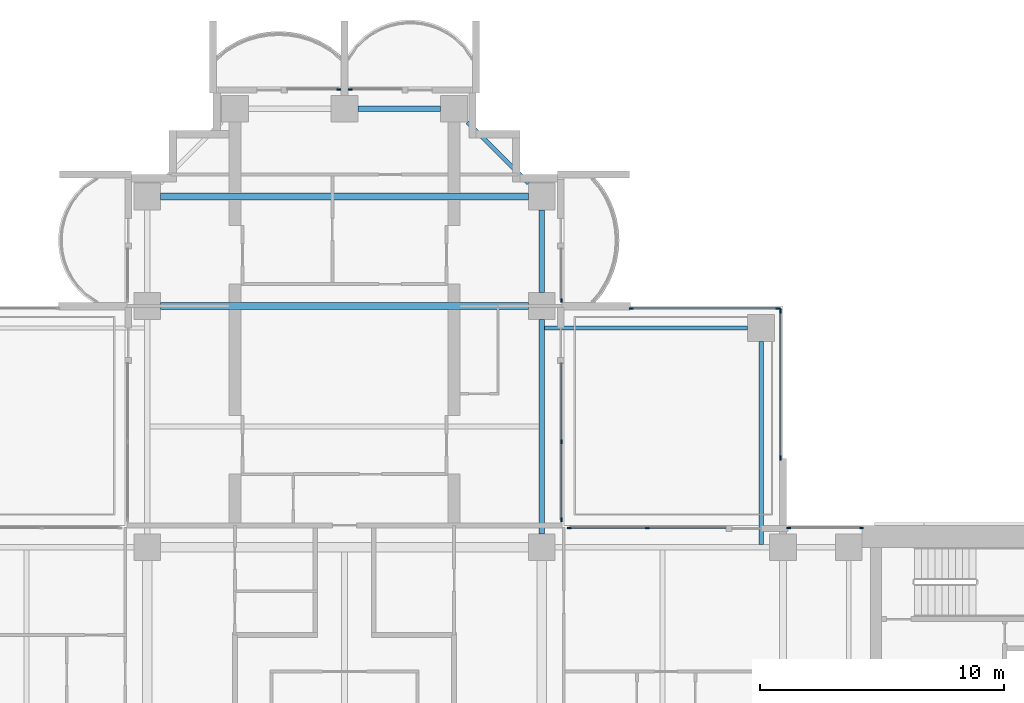
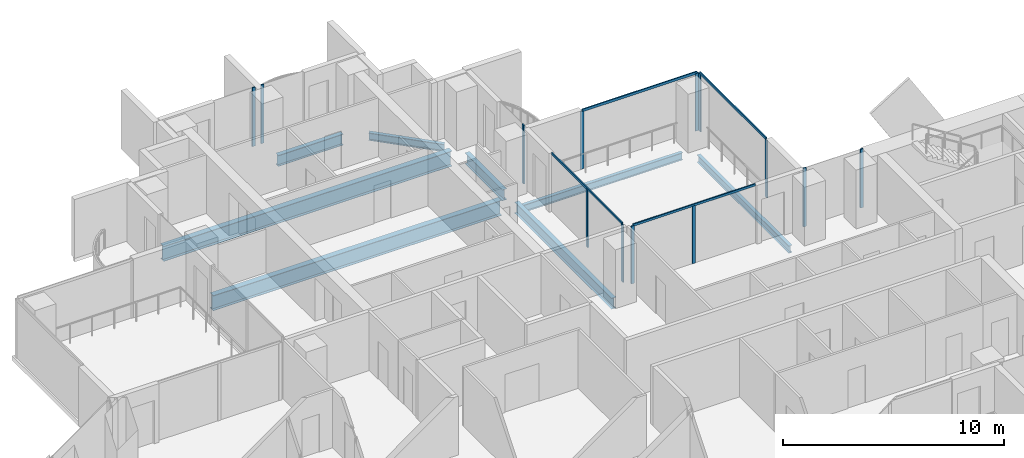
# One storey, part 6 of 19: 17 members, 8 beams, 8 elements without a shape of their own.
"""IFC4 building model written with IfcOpenShell, lengths in metres."""

from ifc_helpers import new_model, si_unit, direction, frame, origin, origin_2d, place, context, subcontext, project, spatial, rectangle, i_section, extrude, material, material_profile, profile_set, type_object, element, aggregate, save


model = new_model("IFC4")

# Units and contexts
model_context = context("Model", 3, precision=1e-05, world=origin(), true_north=direction((0.0, 1.0)))
body_context = subcontext(model_context, "Body", "Model", "MODEL_VIEW")
ifc_project = project(units=[si_unit("LENGTHUNIT", "METRE"), si_unit("AREAUNIT", "SQUARE_METRE"), si_unit("VOLUMEUNIT", "CUBIC_METRE"), si_unit("PLANEANGLEUNIT", "RADIAN"), si_unit("MASSUNIT", "GRAM", prefix="KILO")], contexts=[model_context])

# Site, building, storey
site_placement = place(None, origin())
site = spatial("IfcSite", under=ifc_project, at=site_placement, CompositionType="ELEMENT")
building_placement = place(site_placement, origin())
building = spatial("IfcBuilding", under=site, at=building_placement, Name="Perihelion Cross Residences", CompositionType="ELEMENT")
storey_placement = place(building_placement, frame((0.0, 0.0, 137.39990234375)))
storey = spatial("IfcBuildingStorey", under=building, at=storey_placement, Name="L33", CompositionType="ELEMENT", Elevation=137.39990234375)

# Curtain wall, members
ifc_material_1 = material(Name="Bronze anodised aluminium, tinted glazing", Category="aluminium")
curtain_wall_type_1 = type_object("IfcCurtainWallType", Name="CW1", PredefinedType="NOTDEFINED", material=ifc_material_1)
curtain_wall_1_placement = place(storey_placement, origin())
curtain_wall_1 = element("IfcCurtainWall", 1, at=curtain_wall_1_placement, inside=storey, type_object=curtain_wall_type_1, Name="Curtain wall CW1 L33 east side north bay 1", PredefinedType="NOTDEFINED")
ifc_material_2 = material(Name="Bronze anodised aluminium", Category="aluminium")
ifc_material_profile_1 = material_profile(ifc_material_2, rectangle(XDim=0.06005859375, YDim=0.159912109375, at=origin_2d()), Name="CW1 mullion")
ifc_profile_set_1 = profile_set([ifc_material_profile_1], Name="Bronze anodised aluminium")
member_type_1 = type_object("IfcMemberType", Name="CW1 mullion", PredefinedType="MULLION", material=ifc_profile_set_1)
member_1_placement = place(storey_placement, frame((21.219970703125, 8.89990234375, 0.0), z_axis=(0.0, 0.0, 1.0), x_axis=(0.0, -1.0, 0.0)))
member_1 = element("IfcMember", 2, at=member_1_placement, type_object=member_type_1, Name="CW1 mullion 1", PredefinedType="MULLION", context=body_context, shape_type="SweptSolid", body=[
    extrude(rectangle(XDim=0.06005859375, YDim=0.159912109375, at=origin_2d()), origin(), (0.0, 0.0, 1.0), 3.25),
])
member_2_placement = place(storey_placement, frame((18.22998046875, 8.89990234375, 0.0), z_axis=(0.0, 0.0, 1.0), x_axis=(0.0, -1.0, 0.0)))
member_2 = element("IfcMember", 3, at=member_2_placement, type_object=member_type_1, Name="CW1 mullion 2", PredefinedType="MULLION", context=body_context, shape_type="SweptSolid", body=[
    extrude(rectangle(XDim=0.06005859375, YDim=0.159912109375, at=origin_2d()), origin(), (0.0, 0.0, 1.0), 3.25),
])
aggregate(curtain_wall_1, [member_1, member_2])

curtain_wall_2_placement = place(storey_placement, origin())
curtain_wall_2 = element("IfcCurtainWall", 4, at=curtain_wall_2_placement, inside=storey, type_object=curtain_wall_type_1, Name="Curtain wall CW1 L33 east side north bay 2", PredefinedType="NOTDEFINED")
member_3_placement = place(storey_placement, frame((12.425048828125, 8.89990234375, 0.0), z_axis=(0.0, 0.0, 1.0), x_axis=(0.0, -1.0, 0.0)))
member_3 = element("IfcMember", 5, at=member_3_placement, type_object=member_type_1, Name="CW1 mullion 2", PredefinedType="MULLION", context=body_context, shape_type="SweptSolid", body=[
    extrude(rectangle(XDim=0.06005859375, YDim=0.159912109375, at=origin_2d()), origin(), (0.0, 0.0, 1.0), 3.190185546875),
])
member_4_placement = place(storey_placement, frame((9.22998046875, 8.89990234375, 0.0), z_axis=(0.0, 0.0, 1.0), x_axis=(0.0, -1.0, 0.0)))
member_4 = element("IfcMember", 6, at=member_4_placement, type_object=member_type_1, Name="CW1 mullion 3", PredefinedType="MULLION", context=body_context, shape_type="SweptSolid", body=[
    extrude(rectangle(XDim=0.06005859375, YDim=0.159912109375, at=origin_2d()), origin(), (0.0, 0.0, 1.0), 3.190185546875),
])

curtain_wall_3_placement = place(storey_placement, origin())
curtain_wall_3 = element("IfcCurtainWall", 7, at=curtain_wall_3_placement, inside=storey, type_object=curtain_wall_type_1, Name="Curtain wall CW1 L33 north side east bay 1", PredefinedType="NOTDEFINED")
member_5_placement = place(storey_placement, frame((8.89990234375, 9.22998046875, 0.0), z_axis=(0.0, 0.0, 1.0), x_axis=(-1.0, 0.0, 0.0)))
member_5 = element("IfcMember", 8, at=member_5_placement, type_object=member_type_1, Name="CW1 mullion 1", PredefinedType="MULLION", context=body_context, shape_type="SweptSolid", body=[
    extrude(rectangle(XDim=0.06005859375, YDim=0.159912109375, at=origin_2d()), origin(), (0.0, 0.0, 1.0), 3.190185546875),
])
member_6_placement = place(storey_placement, frame((8.89990234375, 12.425048828125, 0.0), z_axis=(0.0, 0.0, 1.0), x_axis=(-1.0, 0.0, 0.0)))
member_6 = element("IfcMember", 9, at=member_6_placement, type_object=member_type_1, Name="CW1 mullion 2", PredefinedType="MULLION", context=body_context, shape_type="SweptSolid", body=[
    extrude(rectangle(XDim=0.06005859375, YDim=0.159912109375, at=origin_2d()), origin(), (0.0, 0.0, 1.0), 3.190185546875),
])

# Curtain wall, member
curtain_wall_4_placement = place(storey_placement, origin())
curtain_wall_4 = element("IfcCurtainWall", 10, at=curtain_wall_4_placement, inside=storey, type_object=curtain_wall_type_1, Name="Curtain wall CW1 L33 north side east bay 2", PredefinedType="NOTDEFINED")
member_7_placement = place(storey_placement, frame((8.89990234375, 18.22998046875, 0.0), z_axis=(0.0, 0.0, 1.0), x_axis=(-1.0, 0.0, 0.0)))
member_7 = element("IfcMember", 11, at=member_7_placement, type_object=member_type_1, Name="CW1 mullion 1", PredefinedType="MULLION", context=body_context, shape_type="SweptSolid", body=[
    extrude(rectangle(XDim=0.06005859375, YDim=0.159912109375, at=origin_2d()), origin(), (0.0, 0.0, 1.0), 3.25),
])
aggregate(curtain_wall_4, [member_7])

curtain_wall_5_placement = place(storey_placement, origin())
curtain_wall_5 = element("IfcCurtainWall", 12, at=curtain_wall_5_placement, inside=storey, type_object=curtain_wall_type_1, Name="Curtain wall CW1 L33 north tip north bay 1", PredefinedType="NOTDEFINED")
member_8_placement = place(storey_placement, frame((0.22998046875, 26.89990234375, 0.0), z_axis=(0.0, 0.0, 1.0), x_axis=(0.0, -1.0, 0.0)))
member_8 = element("IfcMember", 13, at=member_8_placement, type_object=member_type_1, Name="CW1 mullion 2", PredefinedType="MULLION", context=body_context, shape_type="SweptSolid", body=[
    extrude(rectangle(XDim=0.06005859375, YDim=0.159912109375, at=origin_2d()), origin(), (0.0, 0.0, 1.0), 3.25),
])
aggregate(curtain_wall_5, [member_8])

curtain_wall_6_placement = place(storey_placement, origin())
curtain_wall_6 = element("IfcCurtainWall", 14, at=curtain_wall_6_placement, inside=storey, type_object=curtain_wall_type_1, Name="Curtain wall CW1 L33 north tip north bay 2", PredefinedType="NOTDEFINED")
member_9_placement = place(storey_placement, frame((-0.22998046875, 26.89990234375, 0.0), z_axis=(0.0, 0.0, 1.0), x_axis=(0.0, -1.0, 0.0)))
member_9 = element("IfcMember", 15, at=member_9_placement, type_object=member_type_1, Name="CW1 mullion 1", PredefinedType="MULLION", context=body_context, shape_type="SweptSolid", body=[
    extrude(rectangle(XDim=0.06005859375, YDim=0.159912109375, at=origin_2d()), origin(), (0.0, 0.0, 1.0), 3.25),
])
aggregate(curtain_wall_6, [member_9])

# Member
ifc_material_3 = material(Name="Bronze anodised aluminium", Category="aluminium")
ifc_material_profile_2 = material_profile(ifc_material_3, rectangle(XDim=0.06005859375, YDim=0.1201171875, at=origin_2d()), Name="CW1 transom")
ifc_profile_set_2 = profile_set([ifc_material_profile_2], Name="Bronze anodised aluminium")
member_type_2 = type_object("IfcMemberType", Name="CW1 transom", PredefinedType="USERDEFINED", material=ifc_profile_set_2)
member_10_placement = place(storey_placement, frame((15.64990234375, 8.89990234375, 3.22021484375), z_axis=(-1.0, 0.0, 0.0), x_axis=(0.0, -1.0, 0.0)))
member_10 = element("IfcMember", 16, at=member_10_placement, type_object=member_type_2, Name="CW1 head transom", ObjectType="TRANSOM", PredefinedType="USERDEFINED", context=body_context, shape_type="SweptSolid", body=[
    extrude(rectangle(XDim=0.06005859375, YDim=0.1201171875, at=origin_2d()), origin(), (0.0, 0.0, 1.0), 6.419921875),
])

aggregate(curtain_wall_2, [member_3, member_4, member_10])

member_11_placement = place(storey_placement, frame((8.89990234375, 9.22998046875, 3.22021484375), z_axis=(0.0, 1.0, 0.0), x_axis=(-1.0, 0.0, 0.0)))
member_11 = element("IfcMember", 17, at=member_11_placement, type_object=member_type_2, Name="CW1 head transom", ObjectType="TRANSOM", PredefinedType="USERDEFINED", context=body_context, shape_type="SweptSolid", body=[
    extrude(rectangle(XDim=0.06005859375, YDim=0.1201171875, at=origin_2d()), origin(), (0.0, 0.0, 1.0), 6.419921875),
])

aggregate(curtain_wall_3, [member_5, member_6, member_11])

# Curtain wall, members
ifc_material_4 = material(Name="Bronze anodised aluminium, tinted glazing", Category="aluminium")
curtain_wall_type_2 = type_object("IfcCurtainWallType", Name="CW4", PredefinedType="NOTDEFINED", material=ifc_material_4)
curtain_wall_7_placement = place(storey_placement, origin())
curtain_wall_7 = element("IfcCurtainWall", 18, at=curtain_wall_7_placement, inside=storey, type_object=curtain_wall_type_2, Name="Curtain wall CW4 L33 pocket north-east 1 1", PredefinedType="NOTDEFINED")
ifc_material_5 = material(Name="Bronze anodised aluminium", Category="aluminium")
ifc_material_profile_3 = material_profile(ifc_material_5, rectangle(XDim=0.06005859375, YDim=0.179931640625, at=origin_2d()), Name="CW4 mullion")
ifc_profile_set_3 = profile_set([ifc_material_profile_3], Name="Bronze anodised aluminium")
member_type_3 = type_object("IfcMemberType", Name="CW4 mullion", PredefinedType="MULLION", material=ifc_profile_set_3)
member_12_placement = place(storey_placement, frame((11.77001953125, 17.89990234375, 0.0), z_axis=(0.0, 0.0, 1.0), x_axis=(0.0, 1.0, 0.0)))
member_12 = element("IfcMember", 19, at=member_12_placement, type_object=member_type_3, Name="CW4 mullion 1", PredefinedType="MULLION", context=body_context, shape_type="SweptSolid", body=[
    extrude(rectangle(XDim=0.06005859375, YDim=0.179931640625, at=origin_2d()), origin(), (0.0, 0.0, 1.0), 3.190185546875),
])
member_13_placement = place(storey_placement, frame((17.800048828125, 17.89990234375, 0.0), z_axis=(0.0, 0.0, 1.0), x_axis=(0.0, 1.0, 0.0)))
member_13 = element("IfcMember", 20, at=member_13_placement, type_object=member_type_3, Name="CW4 mullion 2", PredefinedType="MULLION", context=body_context, shape_type="SweptSolid", body=[
    extrude(rectangle(XDim=0.06005859375, YDim=0.179931640625, at=origin_2d()), origin(), (0.0, 0.0, 1.0), 3.190185546875),
])

curtain_wall_8_placement = place(storey_placement, origin())
curtain_wall_8 = element("IfcCurtainWall", 21, at=curtain_wall_8_placement, inside=storey, type_object=curtain_wall_type_2, Name="Curtain wall CW4 L33 pocket north-east 1 2", PredefinedType="NOTDEFINED")
member_14_placement = place(storey_placement, frame((17.89990234375, 17.800048828125, 0.0), z_axis=(0.0, 0.0, 1.0), x_axis=(1.0, 0.0, 0.0)))
member_14 = element("IfcMember", 22, at=member_14_placement, type_object=member_type_3, Name="CW4 mullion 1", PredefinedType="MULLION", context=body_context, shape_type="SweptSolid", body=[
    extrude(rectangle(XDim=0.06005859375, YDim=0.179931640625, at=origin_2d()), origin(), (0.0, 0.0, 1.0), 3.190185546875),
])
member_15_placement = place(storey_placement, frame((17.89990234375, 11.77001953125, 0.0), z_axis=(0.0, 0.0, 1.0), x_axis=(1.0, 0.0, 0.0)))
member_15 = element("IfcMember", 23, at=member_15_placement, type_object=member_type_3, Name="CW4 mullion 2", PredefinedType="MULLION", context=body_context, shape_type="SweptSolid", body=[
    extrude(rectangle(XDim=0.06005859375, YDim=0.179931640625, at=origin_2d()), origin(), (0.0, 0.0, 1.0), 3.190185546875),
])

# Member
ifc_material_6 = material(Name="Bronze anodised aluminium", Category="aluminium")
ifc_material_profile_4 = material_profile(ifc_material_6, rectangle(XDim=0.06005859375, YDim=0.139892578125, at=origin_2d()), Name="CW4 transom")
ifc_profile_set_4 = profile_set([ifc_material_profile_4], Name="Bronze anodised aluminium")
member_type_4 = type_object("IfcMemberType", Name="CW4 transom", PredefinedType="USERDEFINED", material=ifc_profile_set_4)
member_16_placement = place(storey_placement, frame((11.77001953125, 17.89990234375, 3.22021484375), z_axis=(1.0, 0.0, 0.0), x_axis=(0.0, 1.0, 0.0)))
member_16 = element("IfcMember", 24, at=member_16_placement, type_object=member_type_4, Name="CW4 head transom", ObjectType="TRANSOM", PredefinedType="USERDEFINED", context=body_context, shape_type="SweptSolid", body=[
    extrude(rectangle(XDim=0.06005859375, YDim=0.139892578125, at=origin_2d()), origin(), (0.0, 0.0, 1.0), 6.030029296875),
])

aggregate(curtain_wall_7, [member_12, member_13, member_16])

member_17_placement = place(storey_placement, frame((17.89990234375, 17.800048828125, 3.22021484375), z_axis=(0.0, -1.0, 0.0), x_axis=(1.0, 0.0, 0.0)))
member_17 = element("IfcMember", 25, at=member_17_placement, type_object=member_type_4, Name="CW4 head transom", ObjectType="TRANSOM", PredefinedType="USERDEFINED", context=body_context, shape_type="SweptSolid", body=[
    extrude(rectangle(XDim=0.06005859375, YDim=0.139892578125, at=origin_2d()), origin(), (0.0, 0.0, 1.0), 6.030029296875),
])

aggregate(curtain_wall_8, [member_14, member_15, member_17])

# Beams
ifc_material_7 = material(Name="Steel S355", Category="steel")
ifc_material_profile_5 = material_profile(ifc_material_7, i_section(OverallWidth=0.177978515625, OverallDepth=0.406005859375, WebThickness=0.0078125, FlangeThickness=0.0126953125, at=origin_2d()), Name="W410x60")
ifc_profile_set_5 = profile_set([ifc_material_profile_5], Name="Steel S355")
beam_type_1 = type_object("IfcBeamType", Name="Core edge beam W410x60", PredefinedType="BEAM", material=ifc_profile_set_5)
for number, where, z_axis, x_axis, name in (
    (26, (17.10009765625, 8.214599609375, -0.452880859375), (0.0, 1.0, 0.0), (-1.0, 0.0, 0.0), "Core edge beam TB2 L33 corner no. 7"),
    (27, (8.214599609375, 17.10009765625, -0.452880859375), (1.0, 0.0, 0.0), (0.0, 1.0, 0.0), "Core edge beam TB2 L33 corner no. 8"),
):
    element("IfcBeam", number, at=place(storey_placement, frame(where, z_axis=z_axis, x_axis=x_axis)), inside=storey, type_object=beam_type_1, Name=name, PredefinedType="BEAM", context=body_context, shape_type="SweptSolid", body=[
        extrude(i_section(OverallWidth=0.177978515625, OverallDepth=0.406005859375, WebThickness=0.0078125, FlangeThickness=0.0126953125, at=origin_2d()), origin(), (0.0, 0.0, 1.0), 8.33544921875),
    ])
ifc_material_8 = material(Name="Steel S355", Category="steel")
ifc_material_profile_6 = material_profile(ifc_material_8, i_section(OverallWidth=0.22900390625, OverallDepth=0.612060546875, WebThickness=0.011962890625, FlangeThickness=0.01953125, at=origin_2d()), Name="W610x125")
ifc_profile_set_6 = profile_set([ifc_material_profile_6], Name="Steel S355")
beam_type_2 = type_object("IfcBeamType", Name="Edge beam W610x125", PredefinedType="SPANDREL", material=ifc_profile_set_6)
beam_1_placement = place(storey_placement, frame((8.10009765625, 8.64990234375, -0.555908203125), z_axis=(0.0, 1.0, 0.0), x_axis=(-1.0, 0.0, 0.0)))
element("IfcBeam", 28, at=beam_1_placement, inside=storey, type_object=beam_type_2, Name="Edge beam SB3 L33 no. 18", PredefinedType="SPANDREL", context=body_context, shape_type="SweptSolid", body=[
    extrude(i_section(OverallWidth=0.22900390625, OverallDepth=0.612060546875, WebThickness=0.011962890625, FlangeThickness=0.01953125, at=origin_2d()), origin(), (0.0, 0.0, 1.0), 8.800048828125),
])
for number, where, z_axis, x_axis, name in (
    (29, (8.10009765625, 18.550048828125, -0.555908203125), (0.0, 1.0, 0.0), (-1.0, 0.0, 0.0), "Edge beam SB3 L33 no. 17"),
    (30, (3.949951171875, 26.10009765625, -0.555908203125), (-1.0, 0.0, 0.0), (0.0, -1.0, 0.0), "Edge beam SB3 L33 no. 14"),
):
    element("IfcBeam", number, at=place(storey_placement, frame(where, z_axis=z_axis, x_axis=x_axis)), inside=storey, type_object=beam_type_2, Name=name, PredefinedType="SPANDREL", context=body_context, shape_type="SweptSolid", body=[
        extrude(i_section(OverallWidth=0.22900390625, OverallDepth=0.612060546875, WebThickness=0.011962890625, FlangeThickness=0.01953125, at=origin_2d()), origin(), (0.0, 0.0, 1.0), 3.39990234375),
    ])
ifc_material_9 = material(Name="Steel S355", Category="steel")
ifc_material_profile_7 = material_profile(ifc_material_9, i_section(OverallWidth=0.2919921875, OverallDepth=0.8359375, WebThickness=0.013916015625, FlangeThickness=0.018798828125, at=origin_2d()), Name="W840x176")
ifc_profile_set_7 = profile_set([ifc_material_profile_7], Name="Steel S355")
beam_type_3 = type_object("IfcBeamType", Name="Floor girder W840x176", PredefinedType="BEAM", material=ifc_profile_set_7)
for number, where, z_axis, x_axis, name in (
    (31, (-7.550048828125, 18.0, -0.66796875), (1.0, 0.0, 0.0), (0.0, 1.0, 0.0), "Girder G3 L33 no. 4"),
    (32, (-7.550048828125, 22.5, -0.66796875), (1.0, 0.0, 0.0), (0.0, 1.0, 0.0), "Girder G3 L33 no. 5"),
):
    element("IfcBeam", number, at=place(storey_placement, frame(where, z_axis=z_axis, x_axis=x_axis)), inside=storey, type_object=beam_type_3, Name=name, PredefinedType="BEAM", context=body_context, shape_type="SweptSolid", body=[
        extrude(i_section(OverallWidth=0.2919921875, OverallDepth=0.8359375, WebThickness=0.013916015625, FlangeThickness=0.018798828125, at=origin_2d()), origin(), (0.0, 0.0, 1.0), 15.10009765625),
    ])
ifc_material_10 = material(Name="Steel S355", Category="steel")
ifc_material_profile_8 = material_profile(ifc_material_10, i_section(OverallWidth=0.180908203125, OverallDepth=0.4169921875, WebThickness=0.010986328125, FlangeThickness=0.018310546875, at=origin_2d()), Name="W410x85")
ifc_profile_set_8 = profile_set([ifc_material_profile_8], Name="Steel S355")
beam_type_4 = type_object("IfcBeamType", Name="Serration edge beam W410x85", PredefinedType="BEAM", material=ifc_profile_set_8)
beam_2_placement = place(storey_placement, frame((7.550048828125, 23.050048828125, -0.45849609375), z_axis=(-0.707106781187, 0.707106781187, 0.0), x_axis=(-0.707106781187, -0.707106781187, 0.0)))
element("IfcBeam", 33, at=beam_2_placement, inside=storey, type_object=beam_type_4, Name="Serration edge beam EB3 L33 no. 4", PredefinedType="BEAM", context=body_context, shape_type="SweptSolid", body=[
    extrude(i_section(OverallWidth=0.180908203125, OverallDepth=0.4169921875, WebThickness=0.010986328125, FlangeThickness=0.018310546875, at=origin_2d()), origin(), (0.0, 0.0, 1.0), 3.53564453125),
])

save(model, "model.ifc")
